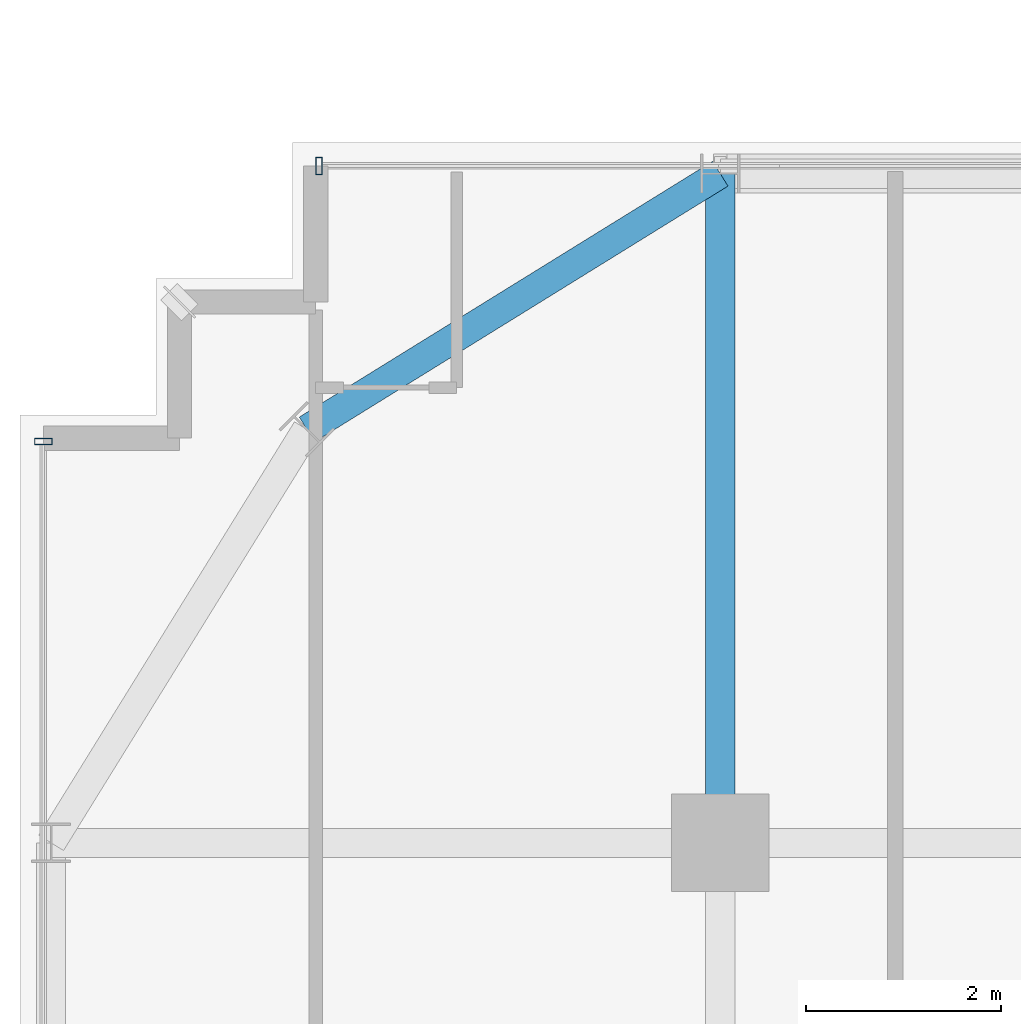
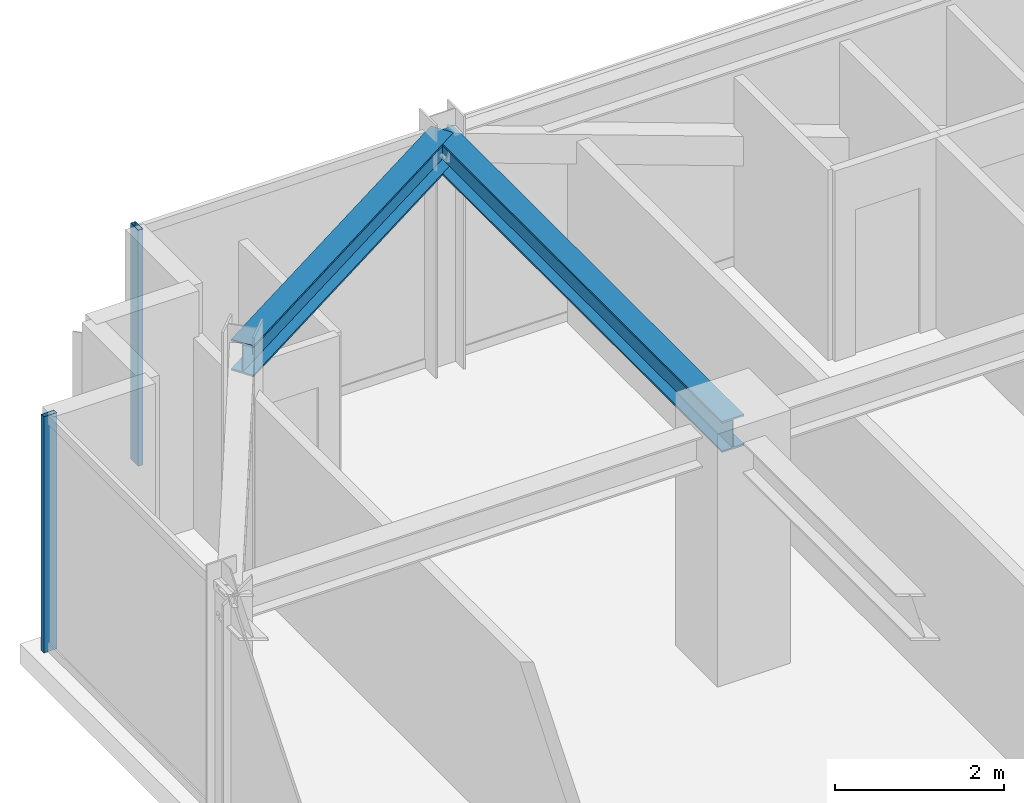
# One storey, part 20 of 43: 2 beams, 2 members, 2 elements without a shape of their own.
"""IFC4 building model written with IfcOpenShell, lengths in metres."""

from ifc_helpers import new_model, si_unit, direction, frame, origin, origin_2d, place, context, subcontext, project, spatial, hollow_rectangle, i_section, extrude, source, transform, mapped, material, material_profile, profile_set, type_object, element, aggregate, save


model = new_model("IFC4")

# Units and contexts
model_context = context("Model", 3, precision=1e-05, world=origin(), true_north=direction((0.0, 1.0)))
body_context = subcontext(model_context, "Body", "Model", "MODEL_VIEW")
ifc_project = project(units=[si_unit("LENGTHUNIT", "METRE"), si_unit("AREAUNIT", "SQUARE_METRE"), si_unit("VOLUMEUNIT", "CUBIC_METRE"), si_unit("PLANEANGLEUNIT", "RADIAN"), si_unit("MASSUNIT", "GRAM", prefix="KILO")], contexts=[model_context])

# Site, building, storey
site_placement = place(None, origin())
site = spatial("IfcSite", under=ifc_project, at=site_placement, CompositionType="ELEMENT")
building_placement = place(site_placement, origin())
building = spatial("IfcBuilding", under=site, at=building_placement, Name="Nahalor Promenade Grand Hotel", CompositionType="ELEMENT")
storey_placement = place(building_placement, frame((0.0, 0.0, 204.89990234375)))
storey = spatial("IfcBuildingStorey", under=building, at=storey_placement, Name="L52", CompositionType="ELEMENT", Elevation=204.89990234375)

# Beams
ifc_material_1 = material(Name="Steel S355JR", Category="steel")
ifc_material_profile_1 = material_profile(ifc_material_1, i_section(OverallWidth=0.3, OverallDepth=0.45, WebThickness=0.014, FlangeThickness=0.026, at=origin_2d()), Name="HEB 450")
ifc_profile_set_1 = profile_set([ifc_material_profile_1], Name="Steel S355JR")
beam_type_1 = type_object("IfcBeamType", Name="Beam-Spandrel-HEB450", PredefinedType="SPANDREL", material=ifc_profile_set_1)
shared_shape_1 = source(origin(), body_context, "Body", "SweptSolid", [
    extrude(i_section(OverallWidth=0.3, OverallDepth=0.45, WebThickness=0.014, FlangeThickness=0.026, at=origin_2d()), origin(), (0.0, 0.0, 1.0), 4.997802734375),
])
beam_1_placement = place(storey_placement, frame((-17.0, 23.8798828125, 3.18505859375), z_axis=(-0.850360908404, -0.526199891161, 0.0), x_axis=(0.526199891161, -0.850360908404, 0.0)))
element("IfcBeam", 1, at=beam_1_placement, inside=storey, type_object=beam_type_1, Name="BM-L52-SPC-NW-1", PredefinedType="SPANDREL", context=body_context, shape_type="MappedRepresentation", body=[
    mapped(shared_shape_1, transform((0.0, 0.0, 0.0), scale=1.0)),
])
ifc_material_profile_2 = material_profile(ifc_material_1, i_section(OverallWidth=0.3, OverallDepth=0.45, WebThickness=0.014, FlangeThickness=0.026, at=origin_2d()), Name="HEB 450")
ifc_profile_set_2 = profile_set([ifc_material_profile_2], Name="Steel S355JR")
beam_type_2 = type_object("IfcBeamType", Name="Beam-Girder-HEB450", PredefinedType="BEAM", material=ifc_profile_set_2)
shared_shape_2 = source(origin(), body_context, "Body", "SweptSolid", [
    extrude(i_section(OverallWidth=0.3, OverallDepth=0.45, WebThickness=0.014, FlangeThickness=0.026, at=origin_2d()), origin(), (0.0, 0.0, 1.0), 6.8798828125),
])
beam_2_placement = place(storey_placement, frame((-17.0, 17.0, 3.18505859375), z_axis=(0.0, 1.0, 0.0), x_axis=(-1.0, 0.0, 0.0)))
element("IfcBeam", 2, at=beam_2_placement, inside=storey, type_object=beam_type_2, Name="BM-L52-GY-0-4", PredefinedType="BEAM", context=body_context, shape_type="MappedRepresentation", body=[
    mapped(shared_shape_2, transform((0.0, 0.0, 0.0), scale=1.0)),
])

# Curtain wall, member
ifc_material_2 = material(Name="Anodised Bronze Aluminium EN AW-6063 T6", Category="aluminium")
curtain_wall_type = type_object("IfcCurtainWallType", Name="CW2 Typical Hotel Flush Bronze Unitised Curtain Wall", PredefinedType="USERDEFINED", material=ifc_material_2)
curtain_wall_1_placement = place(storey_placement, origin())
curtain_wall_1 = element("IfcCurtainWall", 3, at=curtain_wall_1_placement, inside=storey, type_object=curtain_wall_type, Name="L52 Curtain Wall CW-L52-N-1", ObjectType="UNITISED_CURTAIN_WALL", PredefinedType="USERDEFINED")
ifc_material_profile_3 = material_profile(ifc_material_2, hollow_rectangle(XDim=0.065, YDim=0.18, WallThickness=0.004, at=origin_2d()), Name="CWM 65x180x4")
ifc_profile_set_3 = profile_set([ifc_material_profile_3], Name="Anodised Bronze Aluminium EN AW-6063 T6")
member_type = type_object("IfcMemberType", Name="CWM2 Typical Bronze Mullion 65x180", PredefinedType="MULLION", material=ifc_profile_set_3)
shared_shape_3 = source(origin(), body_context, "Body", "SweptSolid", [
    extrude(hollow_rectangle(XDim=0.065, YDim=0.18, WallThickness=0.004, at=origin_2d()), origin(), (0.0, 0.0, 1.0), 3.41015625),
])
member_1_placement = place(storey_placement, frame((-21.12744140625, 23.9599609375, 0.0), z_axis=(0.0, 0.0, 1.0), x_axis=(1.0, 0.0, 0.0)))
member_1 = element("IfcMember", 4, at=member_1_placement, type_object=member_type, Name="CW-L52-N-1 Mullion 0", PredefinedType="MULLION", context=body_context, shape_type="MappedRepresentation", body=[
    mapped(shared_shape_3, transform((0.0, 0.0, 0.0), scale=1.0)),
])
aggregate(curtain_wall_1, [member_1])

curtain_wall_2_placement = place(storey_placement, origin())
curtain_wall_2 = element("IfcCurtainWall", 5, at=curtain_wall_2_placement, inside=storey, type_object=curtain_wall_type, Name="L52 Curtain Wall CW-L52-W-1", ObjectType="UNITISED_CURTAIN_WALL", PredefinedType="USERDEFINED")
member_2_placement = place(storey_placement, frame((-23.9599609375, 21.12744140625, 0.0), z_axis=(0.0, 0.0, 1.0), x_axis=(0.0, 1.0, 0.0)))
member_2 = element("IfcMember", 6, at=member_2_placement, type_object=member_type, Name="CW-L52-W-1 Mullion 4", PredefinedType="MULLION", context=body_context, shape_type="MappedRepresentation", body=[
    mapped(shared_shape_3, transform((0.0, 0.0, 0.0), scale=1.0)),
])
aggregate(curtain_wall_2, [member_2])

save(model, "model.ifc")
